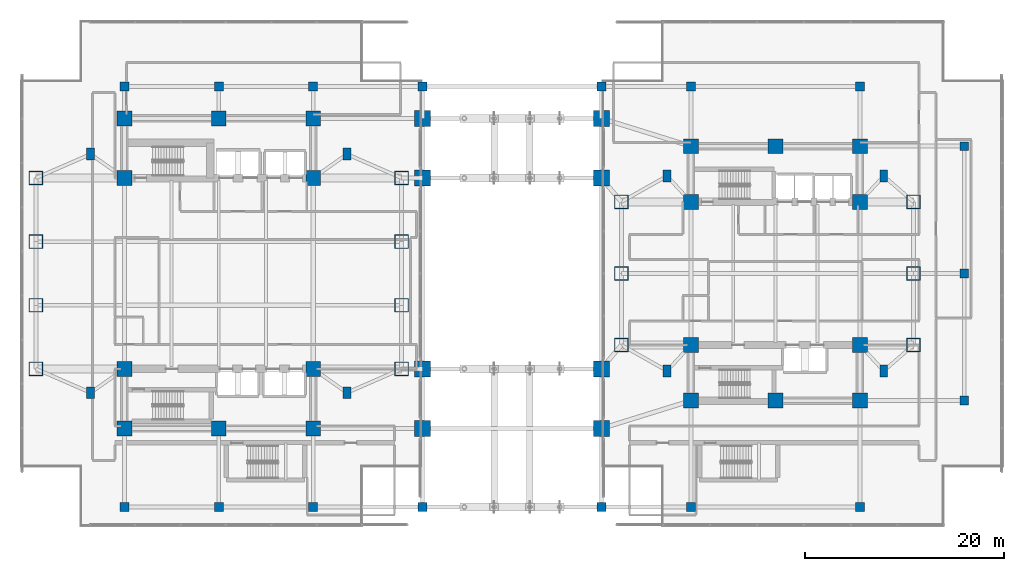
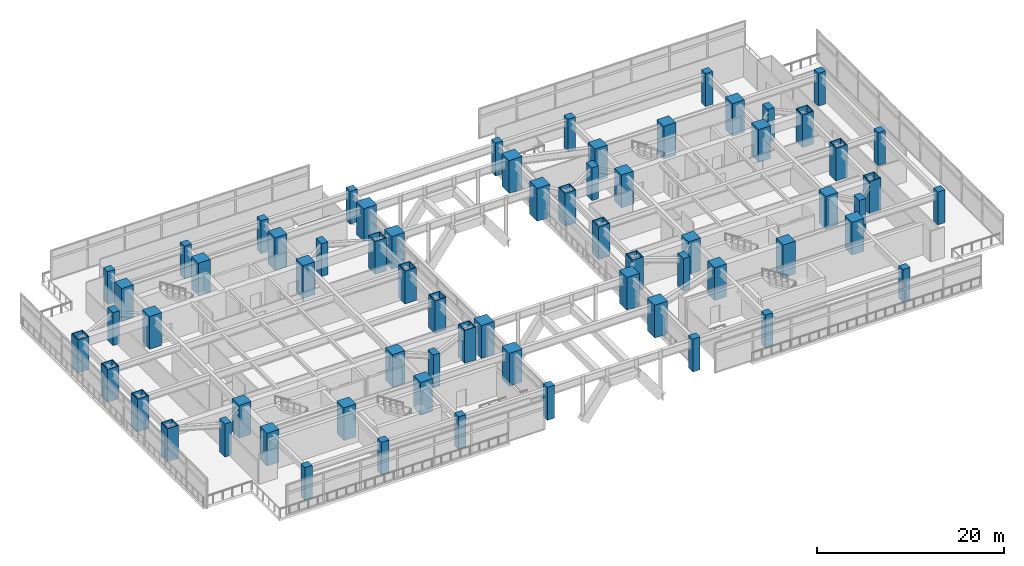
# One storey, part 1 of 30: 67 columns.
"""IFC4 building model written with IfcOpenShell, lengths in metres."""

from ifc_helpers import new_model, si_unit, direction, frame, origin, origin_2d, place, context, subcontext, project, spatial, rectangle, hollow_rectangle, extrude, material, material_profile, profile_set, type_object, element, save


model = new_model("IFC4")

# Units and contexts
model_context = context("Model", 3, precision=1e-05, world=origin(), true_north=direction((0.0, 1.0)))
body_context = subcontext(model_context, "Body", "Model", "MODEL_VIEW")
ifc_project = project(units=[si_unit("LENGTHUNIT", "METRE"), si_unit("AREAUNIT", "SQUARE_METRE"), si_unit("VOLUMEUNIT", "CUBIC_METRE"), si_unit("PLANEANGLEUNIT", "RADIAN"), si_unit("MASSUNIT", "GRAM", prefix="KILO")], contexts=[model_context])

# Site, building, storey
site_placement = place(None, origin())
site = spatial("IfcSite", under=ifc_project, at=site_placement, CompositionType="ELEMENT")
building_placement = place(site_placement, origin())
building = spatial("IfcBuilding", under=site, at=building_placement, Name="Mirazonda Arch Towers", CompositionType="ELEMENT")
storey_placement = place(building_placement, frame((0.0, 0.0, 9.5)))
storey = spatial("IfcBuildingStorey", under=building, at=storey_placement, Name="L02", CompositionType="ELEMENT", Elevation=9.5)

# Columns
ifc_material_1 = material(Name="Concrete C60/75", Category="concrete")
ifc_material_profile_1 = material_profile(ifc_material_1, rectangle(XDim=1.5, YDim=1.5, at=origin_2d()), Name="RC1500x1500")
ifc_profile_set_1 = profile_set([ifc_material_profile_1], Name="Concrete C60/75")
column_type_1 = type_object("IfcColumnType", Name="COL-INT-RC1500x1500", PredefinedType="COLUMN", material=ifc_profile_set_1)
for number, where, z_axis, x_axis, name in (
    (1, (11.0, 12.39990234375, 0.0), (0.0, 0.0, 1.0), (1.0, 0.0, 0.0), "L02 T1 Core Column 01"),
    (2, (20.5, 12.39990234375, 0.0), (0.0, 0.0, 1.0), (1.0, 0.0, 0.0), "L02 T1 Core Column 02"),
    (3, (30.0, 12.39990234375, 0.0), (0.0, 0.0, 1.0), (1.0, 0.0, 0.0), "L02 T1 Core Column 03"),
    (4, (11.0, 18.39990234375, 0.0), (0.0, 0.0, 1.0), (1.0, 0.0, 0.0), "L02 T1 Core Column 04"),
    (5, (30.0, 18.39990234375, 0.0), (0.0, 0.0, 1.0), (1.0, 0.0, 0.0), "L02 T1 Core Column 05"),
    (6, (11.0, 37.60009765625, 0.0), (0.0, 0.0, 1.0), (1.0, 0.0, 0.0), "L02 T1 Core Column 06"),
    (7, (30.0, 37.60009765625, 0.0), (0.0, 0.0, 1.0), (1.0, 0.0, 0.0), "L02 T1 Core Column 07"),
    (8, (11.0, 43.60009765625, 0.0), (0.0, 0.0, 1.0), (1.0, 0.0, 0.0), "L02 T1 Core Column 08"),
    (9, (20.5, 43.60009765625, 0.0), (0.0, 0.0, 1.0), (1.0, 0.0, 0.0), "L02 T1 Core Column 09"),
    (10, (30.0, 43.60009765625, 0.0), (0.0, 0.0, 1.0), (1.0, 0.0, 0.0), "L02 T1 Core Column 10"),
    (11, (68.0, 15.199951171875, 0.0), (0.0, 0.0, 1.0), (1.0, 0.0, 0.0), "L02 T2 Core Column 01"),
    (12, (76.5, 15.199951171875, 0.0), (0.0, 0.0, 1.0), (1.0, 0.0, 0.0), "L02 T2 Core Column 02"),
    (13, (85.0, 15.199951171875, 0.0), (0.0, 0.0, 1.0), (1.0, 0.0, 0.0), "L02 T2 Core Column 03"),
    (14, (68.0, 20.800048828125, 0.0), (0.0, 0.0, 1.0), (1.0, 0.0, 0.0), "L02 T2 Core Column 04"),
    (15, (85.0, 20.800048828125, 0.0), (0.0, 0.0, 1.0), (1.0, 0.0, 0.0), "L02 T2 Core Column 05"),
    (16, (68.0, 35.199951171875, 0.0), (0.0, 0.0, 1.0), (1.0, 0.0, 0.0), "L02 T2 Core Column 06"),
    (17, (85.0, 35.199951171875, 0.0), (0.0, 0.0, 1.0), (1.0, 0.0, 0.0), "L02 T2 Core Column 07"),
    (18, (68.0, 40.800048828125, 0.0), (0.0, 0.0, 1.0), (1.0, 0.0, 0.0), "L02 T2 Core Column 08"),
    (19, (76.5, 40.800048828125, 0.0), (0.0, 0.0, 1.0), (1.0, 0.0, 0.0), "L02 T2 Core Column 09"),
    (20, (85.0, 40.800048828125, 0.0), (0.0, 0.0, 1.0), (1.0, 0.0, 0.0), "L02 T2 Core Column 10"),
):
    element("IfcColumn", number, at=place(storey_placement, frame(where, z_axis=z_axis, x_axis=x_axis)), inside=storey, type_object=column_type_1, Name=name, PredefinedType="COLUMN", context=body_context, shape_type="SweptSolid", body=[
        extrude(rectangle(XDim=1.5, YDim=1.5, at=origin_2d()), origin(), (0.0, 0.0, 1.0), 4.300048828125),
    ])
ifc_material_profile_2 = material_profile(ifc_material_1, rectangle(XDim=1.60009765625, YDim=1.60009765625, at=origin_2d()), Name="RC1600x1600")
ifc_profile_set_2 = profile_set([ifc_material_profile_2], Name="Concrete C60/75")
column_type_2 = type_object("IfcColumnType", Name="COL-INT-RC1600x1600", PredefinedType="COLUMN", material=ifc_profile_set_2)
for number, where, z_axis, x_axis, name in (
    (21, (41.0, 12.39990234375, 0.0), (0.0, 0.0, 1.0), (1.0, 0.0, 0.0), "L02 Arch Springing Pier 01"),
    (22, (41.0, 18.39990234375, 0.0), (0.0, 0.0, 1.0), (1.0, 0.0, 0.0), "L02 Arch Springing Pier 02"),
    (23, (41.0, 37.60009765625, 0.0), (0.0, 0.0, 1.0), (1.0, 0.0, 0.0), "L02 Arch Springing Pier 03"),
    (24, (41.0, 43.60009765625, 0.0), (0.0, 0.0, 1.0), (1.0, 0.0, 0.0), "L02 Arch Springing Pier 04"),
    (25, (59.0, 12.39990234375, 0.0), (0.0, 0.0, 1.0), (1.0, 0.0, 0.0), "L02 Arch Springing Pier 05"),
    (26, (59.0, 18.39990234375, 0.0), (0.0, 0.0, 1.0), (1.0, 0.0, 0.0), "L02 Arch Springing Pier 06"),
    (27, (59.0, 37.60009765625, 0.0), (0.0, 0.0, 1.0), (1.0, 0.0, 0.0), "L02 Arch Springing Pier 07"),
    (28, (59.0, 43.60009765625, 0.0), (0.0, 0.0, 1.0), (1.0, 0.0, 0.0), "L02 Arch Springing Pier 08"),
):
    element("IfcColumn", number, at=place(storey_placement, frame(where, z_axis=z_axis, x_axis=x_axis)), inside=storey, type_object=column_type_2, Name=name, PredefinedType="COLUMN", context=body_context, shape_type="SweptSolid", body=[
        extrude(rectangle(XDim=1.60009765625, YDim=1.60009765625, at=origin_2d()), origin(), (0.0, 0.0, 1.0), 4.300048828125),
    ])
ifc_material_2 = material(Name="Concrete C50/60", Category="concrete")
ifc_material_profile_3 = material_profile(ifc_material_2, rectangle(XDim=0.89990234375, YDim=0.89990234375, at=origin_2d()), Name="RC900x900")
ifc_profile_set_3 = profile_set([ifc_material_profile_3], Name="Concrete C50/60")
column_type_3 = type_object("IfcColumnType", Name="COL-INT-RC900x900", PredefinedType="COLUMN", material=ifc_profile_set_3)
for number, where, z_axis, x_axis, name in (
    (29, (11.0, 4.5, 0.0), (0.0, 0.0, 1.0), (1.0, 0.0, 0.0), "L02 Podium Column 01"),
    (30, (20.5, 4.5, 0.0), (0.0, 0.0, 1.0), (1.0, 0.0, 0.0), "L02 Podium Column 02"),
    (31, (30.0, 4.5, 0.0), (0.0, 0.0, 1.0), (1.0, 0.0, 0.0), "L02 Podium Column 03"),
    (32, (41.0, 4.5, 0.0), (0.0, 0.0, 1.0), (1.0, 0.0, 0.0), "L02 Podium Column 04"),
    (33, (59.0, 4.5, 0.0), (0.0, 0.0, 1.0), (1.0, 0.0, 0.0), "L02 Podium Column 05"),
    (34, (68.0, 4.5, 0.0), (0.0, 0.0, 1.0), (1.0, 0.0, 0.0), "L02 Podium Column 06"),
    (35, (85.0, 4.5, 0.0), (0.0, 0.0, 1.0), (1.0, 0.0, 0.0), "L02 Podium Column 07"),
    (36, (11.0, 46.800048828125, 0.0), (0.0, 0.0, 1.0), (1.0, 0.0, 0.0), "L02 Podium Column 08"),
    (37, (20.5, 46.800048828125, 0.0), (0.0, 0.0, 1.0), (1.0, 0.0, 0.0), "L02 Podium Column 09"),
    (38, (30.0, 46.800048828125, 0.0), (0.0, 0.0, 1.0), (1.0, 0.0, 0.0), "L02 Podium Column 10"),
    (39, (41.0, 46.800048828125, 0.0), (0.0, 0.0, 1.0), (1.0, 0.0, 0.0), "L02 Podium Column 11"),
    (40, (59.0, 46.800048828125, 0.0), (0.0, 0.0, 1.0), (1.0, 0.0, 0.0), "L02 Podium Column 12"),
    (41, (68.0, 46.800048828125, 0.0), (0.0, 0.0, 1.0), (1.0, 0.0, 0.0), "L02 Podium Column 13"),
    (42, (85.0, 46.800048828125, 0.0), (0.0, 0.0, 1.0), (1.0, 0.0, 0.0), "L02 Podium Column 14"),
    (43, (95.5, 15.199951171875, 0.0), (0.0, 0.0, 1.0), (1.0, 0.0, 0.0), "L02 Podium Column 15"),
    (44, (95.5, 28.0, 0.0), (0.0, 0.0, 1.0), (1.0, 0.0, 0.0), "L02 Podium Column 16"),
    (45, (95.5, 40.800048828125, 0.0), (0.0, 0.0, 1.0), (1.0, 0.0, 0.0), "L02 Podium Column 17"),
):
    element("IfcColumn", number, at=place(storey_placement, frame(where, z_axis=z_axis, x_axis=x_axis)), inside=storey, type_object=column_type_3, Name=name, PredefinedType="COLUMN", context=body_context, shape_type="SweptSolid", body=[
        extrude(rectangle(XDim=0.89990234375, YDim=0.89990234375, at=origin_2d()), origin(), (0.0, 0.0, 1.0), 4.300048828125),
    ])
ifc_material_3 = material(Name="Steel ASTM A572 Grade 50", Category="steel")
ifc_material_profile_4 = material_profile(ifc_material_3, hollow_rectangle(XDim=1.39990234375, YDim=1.39990234375, WallThickness=0.080078125, at=origin_2d()), Name="BOX1400x1400x80")
ifc_profile_set_4 = profile_set([ifc_material_profile_4], Name="Steel ASTM A572 Grade 50")
column_type_4 = type_object("IfcColumnType", Name="MCOL-EXT-BOX1400x1400x80", PredefinedType="COLUMN", material=ifc_profile_set_4)
for number, where, z_axis, x_axis, name in (
    (46, (2.10009765625, 18.39990234375, 0.0), (0.0, 0.0, 1.0), (1.0, 0.0, 0.0), "L02 T1 Composite Mega-Column 01"),
    (47, (2.10009765625, 24.800048828125, 0.0), (0.0, 0.0, 1.0), (1.0, 0.0, 0.0), "L02 T1 Composite Mega-Column 02"),
    (48, (2.10009765625, 31.199951171875, 0.0), (0.0, 0.0, 1.0), (1.0, 0.0, 0.0), "L02 T1 Composite Mega-Column 03"),
    (49, (2.10009765625, 37.60009765625, 0.0), (0.0, 0.0, 1.0), (1.0, 0.0, 0.0), "L02 T1 Composite Mega-Column 04"),
    (50, (38.89990234375, 18.39990234375, 0.0), (0.0, 0.0, 1.0), (1.0, 0.0, 0.0), "L02 T1 Composite Mega-Column 05"),
    (51, (38.89990234375, 24.800048828125, 0.0), (0.0, 0.0, 1.0), (1.0, 0.0, 0.0), "L02 T1 Composite Mega-Column 06"),
    (52, (38.89990234375, 31.199951171875, 0.0), (0.0, 0.0, 1.0), (1.0, 0.0, 0.0), "L02 T1 Composite Mega-Column 07"),
    (53, (38.89990234375, 37.60009765625, 0.0), (0.0, 0.0, 1.0), (1.0, 0.0, 0.0), "L02 T1 Composite Mega-Column 08"),
    (54, (61.0, 20.800048828125, 0.0), (0.0, 0.0, 1.0), (1.0, 0.0, 0.0), "L02 T2 Composite Mega-Column 01"),
    (55, (61.0, 28.0, 0.0), (0.0, 0.0, 1.0), (1.0, 0.0, 0.0), "L02 T2 Composite Mega-Column 02"),
    (56, (61.0, 35.199951171875, 0.0), (0.0, 0.0, 1.0), (1.0, 0.0, 0.0), "L02 T2 Composite Mega-Column 03"),
    (57, (90.39990234375, 20.800048828125, 0.0), (0.0, 0.0, 1.0), (1.0, 0.0, 0.0), "L02 T2 Composite Mega-Column 04"),
    (58, (90.39990234375, 28.0, 0.0), (0.0, 0.0, 1.0), (1.0, 0.0, 0.0), "L02 T2 Composite Mega-Column 05"),
    (59, (90.39990234375, 35.199951171875, 0.0), (0.0, 0.0, 1.0), (1.0, 0.0, 0.0), "L02 T2 Composite Mega-Column 06"),
):
    element("IfcColumn", number, at=place(storey_placement, frame(where, z_axis=z_axis, x_axis=x_axis)), inside=storey, type_object=column_type_4, Name=name, PredefinedType="COLUMN", context=body_context, shape_type="SweptSolid", body=[
        extrude(hollow_rectangle(XDim=1.39990234375, YDim=1.39990234375, WallThickness=0.080078125, at=origin_2d()), origin(), (0.0, 0.0, 1.0), 4.300048828125),
    ])
ifc_material_profile_5 = material_profile(ifc_material_1, rectangle(XDim=0.800048828125, YDim=1.199951171875, at=origin_2d()), Name="RC1200x800")
ifc_profile_set_5 = profile_set([ifc_material_profile_5], Name="Concrete C60/75")
column_type_5 = type_object("IfcColumnType", Name="PIL-EXT-RC1200x800", PredefinedType="PILASTER", material=ifc_profile_set_5)
for number, where, z_axis, x_axis, name in (
    (60, (7.60009765625, 16.0, 0.0), (0.0, 0.0, 1.0), (1.0, 0.0, 0.0), "L02 T1 Corner Pilaster 01"),
    (61, (33.39990234375, 16.0, 0.0), (0.0, 0.0, 1.0), (1.0, 0.0, 0.0), "L02 T1 Corner Pilaster 02"),
    (62, (7.60009765625, 40.0, 0.0), (0.0, 0.0, 1.0), (1.0, 0.0, 0.0), "L02 T1 Corner Pilaster 03"),
    (63, (33.39990234375, 40.0, 0.0), (0.0, 0.0, 1.0), (1.0, 0.0, 0.0), "L02 T1 Corner Pilaster 04"),
    (64, (65.60009765625, 18.199951171875, 0.0), (0.0, 0.0, 1.0), (1.0, 0.0, 0.0), "L02 T2 Corner Pilaster 01"),
    (65, (87.39990234375, 18.199951171875, 0.0), (0.0, 0.0, 1.0), (1.0, 0.0, 0.0), "L02 T2 Corner Pilaster 02"),
    (66, (65.60009765625, 37.800048828125, 0.0), (0.0, 0.0, 1.0), (1.0, 0.0, 0.0), "L02 T2 Corner Pilaster 03"),
    (67, (87.39990234375, 37.800048828125, 0.0), (0.0, 0.0, 1.0), (1.0, 0.0, 0.0), "L02 T2 Corner Pilaster 04"),
):
    element("IfcColumn", number, at=place(storey_placement, frame(where, z_axis=z_axis, x_axis=x_axis)), inside=storey, type_object=column_type_5, Name=name, PredefinedType="PILASTER", context=body_context, shape_type="SweptSolid", body=[
        extrude(rectangle(XDim=0.800048828125, YDim=1.199951171875, at=origin_2d()), origin(), (0.0, 0.0, 1.0), 4.300048828125),
    ])

save(model, "model.ifc")
